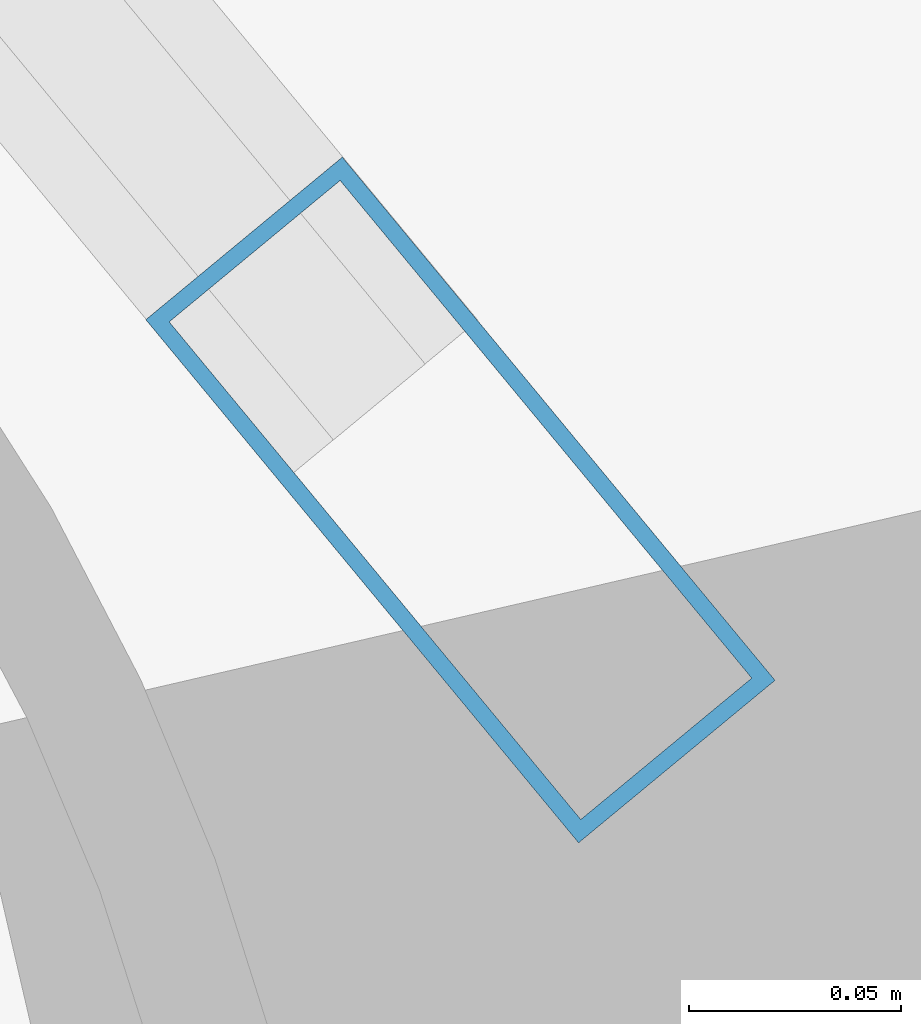
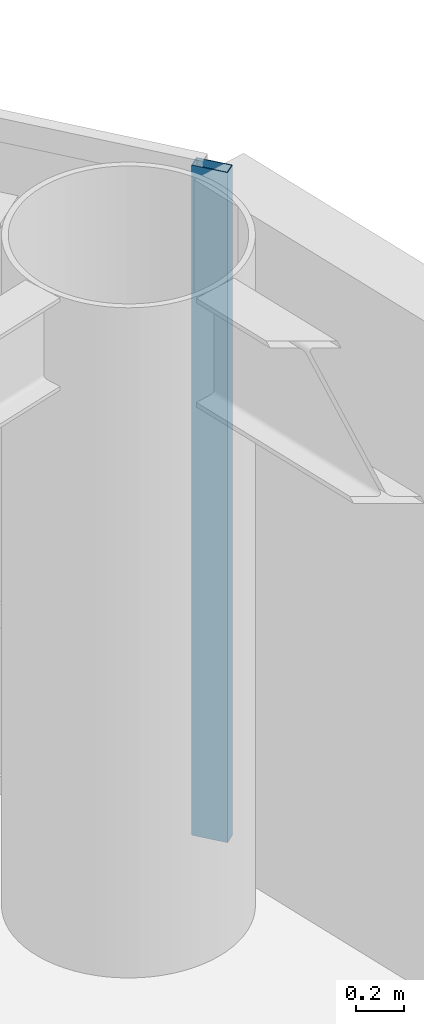
# One storey, part 9 of 27: 1 member, 1 element without a shape of its own.
"""IFC4 building model written with IfcOpenShell, lengths in metres."""

from ifc_helpers import new_model, si_unit, direction, frame, origin, origin_2d, place, context, subcontext, project, spatial, hollow_rectangle, extrude, material, layer, layer_set, material_profile, profile_set, type_object, element, aggregate, save


model = new_model("IFC4")

# Units and contexts
model_context = context("Model", 3, precision=1e-05, world=origin(), true_north=direction((0.0, 1.0)))
body_context = subcontext(model_context, "Body", "Model", "MODEL_VIEW")
ifc_project = project(units=[si_unit("LENGTHUNIT", "METRE"), si_unit("AREAUNIT", "SQUARE_METRE"), si_unit("VOLUMEUNIT", "CUBIC_METRE"), si_unit("PLANEANGLEUNIT", "RADIAN"), si_unit("MASSUNIT", "GRAM", prefix="KILO")], contexts=[model_context])

# Site, building, storey
site_placement = place(None, origin())
site = spatial("IfcSite", under=ifc_project, at=site_placement, CompositionType="ELEMENT")
building_placement = place(site_placement, origin())
building = spatial("IfcBuilding", under=site, at=building_placement, Name="Sarneth Arch Tower", CompositionType="ELEMENT")
storey_placement = place(building_placement, frame((0.0, 0.0, 157.800048828125)))
storey = spatial("IfcBuildingStorey", under=building, at=storey_placement, Name="L39", CompositionType="ELEMENT", Elevation=157.800048828125)

# Curtain wall, member
ifc_material_1 = material(Name="Anodised aluminium Type AA25 and solar-control low-e laminated IGU", Category="aluminium")
ifc_layer = layer(ifc_material_1, 0.169921875)
ifc_layer_set = layer_set([ifc_layer], Name="Anodised aluminium Type AA25 and solar-control low-e laminated IGU")
curtain_wall_type = type_object("IfcCurtainWallType", Name="CW-RES-MID", PredefinedType="NOTDEFINED", material=ifc_layer_set)
curtain_wall_placement = place(storey_placement, origin())
curtain_wall = element("IfcCurtainWall", 1, at=curtain_wall_placement, inside=storey, type_object=curtain_wall_type, Name="L39 Unitised curtain wall facet 02", PredefinedType="NOTDEFINED")
ifc_material_2 = material(Name="Anodised Aluminium 6063-T6", Category="aluminium")
ifc_material_profile = material_profile(ifc_material_2, hollow_rectangle(XDim=0.06005859375, YDim=0.159912109375, WallThickness=0.00390625, at=origin_2d()), Name="AL-MULL-160x60x4")
ifc_profile_set = profile_set([ifc_material_profile], Name="Anodised Aluminium 6063-T6")
member_type = type_object("IfcMemberType", Name="CW-MULLION", PredefinedType="MULLION", material=ifc_profile_set)
member_placement = place(storey_placement, frame((73.213134765625, 50.090087890625, 0.0), z_axis=(0.0, 0.0, 1.0), x_axis=(-0.770590741276, -0.637330298558, 0.0)))
member = element("IfcMember", 2, at=member_placement, type_object=member_type, Name="CW-SYS-5 mullion 1", PredefinedType="MULLION", context=body_context, shape_type="SweptSolid", body=[
    extrude(hollow_rectangle(XDim=0.06005859375, YDim=0.159912109375, WallThickness=0.00390625, at=origin_2d()), origin(), (0.0, 0.0, 1.0), 3.3798828125),
])
aggregate(curtain_wall, [member])

save(model, "model.ifc")
